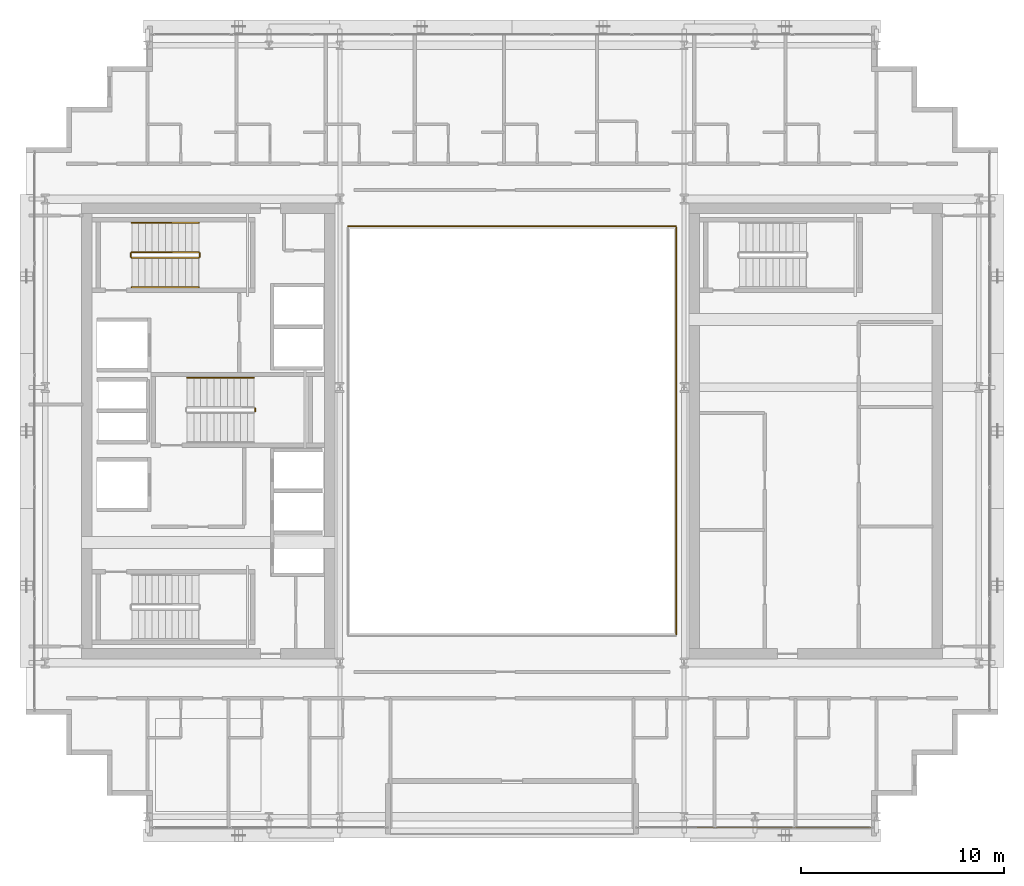
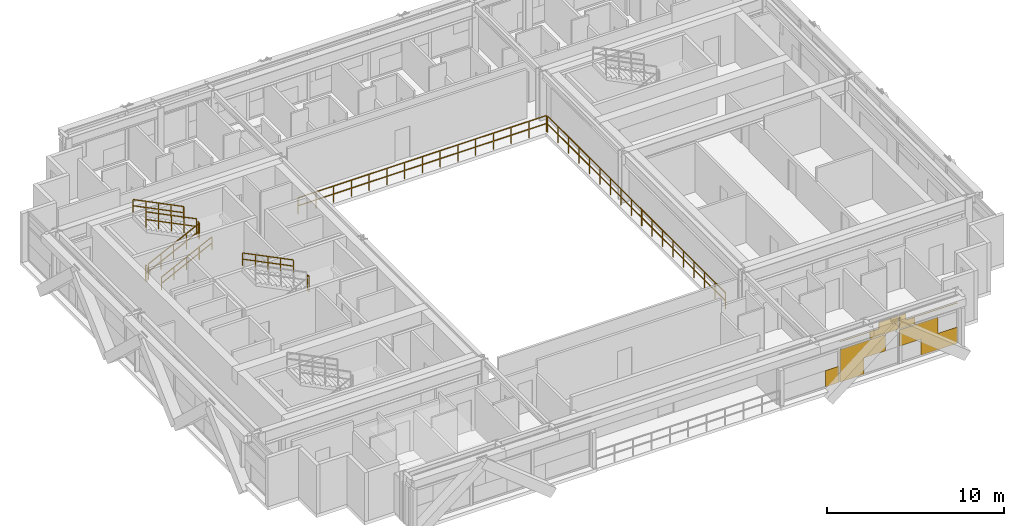
# One storey, part 30 of 32: 10 railings, 1 covering.
"""IFC4 building model written with IfcOpenShell, lengths in metres."""

from ifc_helpers import new_model, si_unit, direction, frame, origin, origin_2d, place, context, subcontext, project, spatial, rectangle, extrude, material, layer, layer_set, type_object, element, save


model = new_model("IFC4")

# Units and contexts
model_context = context("Model", 3, precision=1e-05, world=origin(), true_north=direction((0.0, 1.0)))
body_context = subcontext(model_context, "Body", "Model", "MODEL_VIEW")
ifc_project = project(units=[si_unit("LENGTHUNIT", "METRE"), si_unit("AREAUNIT", "SQUARE_METRE"), si_unit("VOLUMEUNIT", "CUBIC_METRE"), si_unit("PLANEANGLEUNIT", "RADIAN"), si_unit("MASSUNIT", "GRAM", prefix="KILO")], contexts=[model_context])

# Site, building, storey
site_placement = place(None, origin())
site = spatial("IfcSite", under=ifc_project, at=site_placement, CompositionType="ELEMENT")
building_placement = place(site_placement, origin())
building = spatial("IfcBuilding", under=site, at=building_placement, Name="Ocotamira Hotel", CompositionType="ELEMENT")
storey_placement = place(building_placement, frame((0.0, 0.0, 166.800048828125)))
storey = spatial("IfcBuildingStorey", under=building, at=storey_placement, Name="L41", CompositionType="ELEMENT", Elevation=166.800048828125)

# Covering
ifc_material_1 = material(Name="Insulated pale-metal aluminium spandrel panel", Category="aluminium")
ifc_layer = layer(ifc_material_1, 0.044921875)
ifc_layer_set = layer_set([ifc_layer], Name="Insulated pale-metal aluminium spandrel panel")
covering_type = type_object("IfcCoveringType", Name="COV-INFILL-45", PredefinedType="CLADDING", material=ifc_layer_set)
covering_placement = place(storey_placement, origin())
element("IfcCovering", 1, at=covering_placement, inside=storey, type_object=covering_type, Name="L41 Curtain Wall Infill CW-4 CW-L41-S2", PredefinedType="CLADDING", context=body_context, shape_type="SweptSolid", body=[
    extrude(rectangle(XDim=0.85888671875, YDim=0.044921875, at=origin_2d()), frame((41.5634765625, 6.419921875, 0.0751953125), z_axis=(0.0, 0.0, 1.0), x_axis=(1.0, 0.0, 0.0)), (0.0, 0.0, 1.0), 1.117919921875),
    extrude(rectangle(XDim=1.578125, YDim=0.044921875, at=origin_2d()), frame((42.86279296875, 6.419921875, 0.0751953125), z_axis=(0.0, 0.0, 1.0), x_axis=(1.0, 0.0, 0.0)), (0.0, 0.0, 1.0), 1.117919921875),
    extrude(rectangle(XDim=2.9765625, YDim=0.044921875, at=origin_2d()), frame((43.56201171875, 6.419921875, 1.19384765625), z_axis=(0.0, 0.0, 1.0), x_axis=(1.0, 0.0, 0.0)), (0.0, 0.0, 1.0), 1.117919921875),
    extrude(rectangle(XDim=3.80224609375, YDim=0.044921875, at=origin_2d()), frame((43.97509765625, 6.419921875, 2.83154296875), z_axis=(0.0, 0.0, 1.0), x_axis=(1.0, 0.0, 0.0)), (0.0, 0.0, 1.0), 0.0302734375),
    extrude(rectangle(XDim=1.8515625, YDim=0.044921875, at=origin_2d()), frame((44.950439453125, 6.419921875, 2.3876953125), z_axis=(0.0, 0.0, 1.0), x_axis=(1.0, 0.0, 0.0)), (0.0, 0.0, 1.0), 0.442626953125),
    extrude(rectangle(XDim=1.258056640625, YDim=0.044921875, at=origin_2d()), frame((45.2470703125, 6.419921875, 2.86279296875), z_axis=(0.0, 0.0, 1.0), x_axis=(1.0, 0.0, 0.0)), (0.0, 0.0, 1.0), 0.431640625),
    extrude(rectangle(XDim=2.510498046875, YDim=0.044921875, at=origin_2d()), frame((47.21240234375, 6.419921875, 1.19384765625), z_axis=(0.0, 0.0, 1.0), x_axis=(1.0, 0.0, 0.0)), (0.0, 0.0, 1.0), 1.117919921875),
    extrude(rectangle(XDim=2.37158203125, YDim=0.044921875, at=origin_2d()), frame((48.53369140625, 6.419921875, 0.0751953125), z_axis=(0.0, 0.0, 1.0), x_axis=(1.0, 0.0, 0.0)), (0.0, 0.0, 1.0), 1.117919921875),
    extrude(rectangle(XDim=1.018310546875, YDim=0.044921875, at=origin_2d()), frame((46.46630859375, 6.419921875, 2.3876953125), z_axis=(0.0, 0.0, 1.0), x_axis=(1.0, 0.0, 0.0)), (0.0, 0.0, 1.0), 0.442626953125),
    extrude(rectangle(XDim=3.76220703125, YDim=0.044921875, at=origin_2d()), frame((47.83837890625, 6.419921875, 2.83154296875), z_axis=(0.0, 0.0, 1.0), x_axis=(1.0, 0.0, 0.0)), (0.0, 0.0, 1.0), 0.0302734375),
    extrude(rectangle(XDim=0.4248046875, YDim=0.044921875, at=origin_2d()), frame((46.16943359375, 6.419921875, 2.86279296875), z_axis=(0.0, 0.0, 1.0), x_axis=(1.0, 0.0, 0.0)), (0.0, 0.0, 1.0), 0.431640625),
])

# Railings
ifc_material_2 = material(Name="Painted steel stair guardrail", Category="steel")
railing_type_1 = type_object("IfcRailingType", Name="RL-EDGE-1150", PredefinedType="GUARDRAIL", material=ifc_material_2)
railing_1_placement = place(storey_placement, frame((40.1201171875, 15.9599609375, 0.0)))
element("IfcRailing", 2, at=railing_1_placement, inside=storey, type_object=railing_type_1, Name="L41 Central Atrium Edge Guardrail E", PredefinedType="GUARDRAIL", context=body_context, shape_type="SweptSolid", body=[
    extrude(rectangle(XDim=0.048095703125, YDim=0.048095703125, at=origin_2d()), frame((0.0, 0.0, 1.1259765625), z_axis=(0.0, 1.0, 0.0), x_axis=(-1.0, 0.0, 0.0)), (0.0, 0.0, 1.0), 20.080078125),
    extrude(rectangle(XDim=0.048095703125, YDim=0.048095703125, at=origin_2d()), frame((0.0, 0.0, 0.574951171875), z_axis=(0.0, 1.0, 0.0), x_axis=(-1.0, 0.0, 0.0)), (0.0, 0.0, 1.0), 20.080078125),
    extrude(rectangle(XDim=0.0419921875, YDim=0.0419921875, at=origin_2d()), origin(), (0.0, 0.0, 1.0), 1.101806640625),
    extrude(rectangle(XDim=0.0419921875, YDim=0.0419921875, at=origin_2d()), frame((0.0, 1.18115234375, 0.0)), (0.0, 0.0, 1.0), 1.101806640625),
    extrude(rectangle(XDim=0.0419921875, YDim=0.0419921875, at=origin_2d()), frame((0.0, 2.3623046875, 0.0)), (0.0, 0.0, 1.0), 1.101806640625),
    extrude(rectangle(XDim=0.0419921875, YDim=0.0419921875, at=origin_2d()), frame((0.0, 3.54345703125, 0.0)), (0.0, 0.0, 1.0), 1.101806640625),
    extrude(rectangle(XDim=0.0419921875, YDim=0.0419921875, at=origin_2d()), frame((0.0, 4.724609375, 0.0)), (0.0, 0.0, 1.0), 1.101806640625),
    extrude(rectangle(XDim=0.0419921875, YDim=0.0419921875, at=origin_2d()), frame((0.0, 5.906005859375, 0.0)), (0.0, 0.0, 1.0), 1.101806640625),
    extrude(rectangle(XDim=0.0419921875, YDim=0.0419921875, at=origin_2d()), frame((0.0, 7.087158203125, 0.0)), (0.0, 0.0, 1.0), 1.101806640625),
    extrude(rectangle(XDim=0.0419921875, YDim=0.0419921875, at=origin_2d()), frame((0.0, 8.268310546875, 0.0)), (0.0, 0.0, 1.0), 1.101806640625),
    extrude(rectangle(XDim=0.0419921875, YDim=0.0419921875, at=origin_2d()), frame((0.0, 9.449462890625, 0.0)), (0.0, 0.0, 1.0), 1.101806640625),
    extrude(rectangle(XDim=0.0419921875, YDim=0.0419921875, at=origin_2d()), frame((0.0, 10.630615234375, 0.0)), (0.0, 0.0, 1.0), 1.101806640625),
    extrude(rectangle(XDim=0.0419921875, YDim=0.0419921875, at=origin_2d()), frame((0.0, 11.811767578125, 0.0)), (0.0, 0.0, 1.0), 1.101806640625),
    extrude(rectangle(XDim=0.0419921875, YDim=0.0419921875, at=origin_2d()), frame((0.0, 12.992919921875, 0.0)), (0.0, 0.0, 1.0), 1.101806640625),
    extrude(rectangle(XDim=0.0419921875, YDim=0.0419921875, at=origin_2d()), frame((0.0, 14.174072265625, 0.0)), (0.0, 0.0, 1.0), 1.101806640625),
    extrude(rectangle(XDim=0.0419921875, YDim=0.0419921875, at=origin_2d()), frame((0.0, 15.35546875, 0.0)), (0.0, 0.0, 1.0), 1.101806640625),
    extrude(rectangle(XDim=0.0419921875, YDim=0.0419921875, at=origin_2d()), frame((0.0, 16.53662109375, 0.0)), (0.0, 0.0, 1.0), 1.101806640625),
    extrude(rectangle(XDim=0.0419921875, YDim=0.0419921875, at=origin_2d()), frame((0.0, 17.7177734375, 0.0)), (0.0, 0.0, 1.0), 1.101806640625),
    extrude(rectangle(XDim=0.0419921875, YDim=0.0419921875, at=origin_2d()), frame((0.0, 18.89892578125, 0.0)), (0.0, 0.0, 1.0), 1.101806640625),
    extrude(rectangle(XDim=0.0419921875, YDim=0.0419921875, at=origin_2d()), frame((0.0, 20.080078125, 0.0)), (0.0, 0.0, 1.0), 1.101806640625),
])
railing_2_placement = place(storey_placement, frame((40.10009765625, 36.1201171875, 0.0)))
element("IfcRailing", 3, at=railing_2_placement, inside=storey, type_object=railing_type_1, Name="L41 Central Atrium Edge Guardrail N", PredefinedType="GUARDRAIL", context=body_context, shape_type="SweptSolid", body=[
    extrude(rectangle(XDim=0.048095703125, YDim=0.048095703125, at=origin_2d()), frame((0.0, 0.0, 1.1259765625), z_axis=(-1.0, 0.0, 0.0), x_axis=(0.0, -1.0, 0.0)), (0.0, 0.0, 1.0), 16.2001953125),
    extrude(rectangle(XDim=0.048095703125, YDim=0.048095703125, at=origin_2d()), frame((0.0, 0.0, 0.574951171875), z_axis=(-1.0, 0.0, 0.0), x_axis=(0.0, -1.0, 0.0)), (0.0, 0.0, 1.0), 16.2001953125),
    extrude(rectangle(XDim=0.0419921875, YDim=0.0419921875, at=origin_2d()), origin(), (0.0, 0.0, 1.0), 1.101806640625),
    extrude(rectangle(XDim=0.0419921875, YDim=0.0419921875, at=origin_2d()), frame((-1.1572265625, 0.0, 0.0)), (0.0, 0.0, 1.0), 1.101806640625),
    extrude(rectangle(XDim=0.0419921875, YDim=0.0419921875, at=origin_2d()), frame((-2.314208984375, 0.0, 0.0)), (0.0, 0.0, 1.0), 1.101806640625),
    extrude(rectangle(XDim=0.0419921875, YDim=0.0419921875, at=origin_2d()), frame((-3.471435546875, 0.0, 0.0)), (0.0, 0.0, 1.0), 1.101806640625),
    extrude(rectangle(XDim=0.0419921875, YDim=0.0419921875, at=origin_2d()), frame((-4.628662109375, 0.0, 0.0)), (0.0, 0.0, 1.0), 1.101806640625),
    extrude(rectangle(XDim=0.0419921875, YDim=0.0419921875, at=origin_2d()), frame((-5.785888671875, 0.0, 0.0)), (0.0, 0.0, 1.0), 1.101806640625),
    extrude(rectangle(XDim=0.0419921875, YDim=0.0419921875, at=origin_2d()), frame((-6.94287109375, 0.0, 0.0)), (0.0, 0.0, 1.0), 1.101806640625),
    extrude(rectangle(XDim=0.0419921875, YDim=0.0419921875, at=origin_2d()), frame((-8.10009765625, 0.0, 0.0)), (0.0, 0.0, 1.0), 1.101806640625),
    extrude(rectangle(XDim=0.0419921875, YDim=0.0419921875, at=origin_2d()), frame((-9.25732421875, 0.0, 0.0)), (0.0, 0.0, 1.0), 1.101806640625),
    extrude(rectangle(XDim=0.0419921875, YDim=0.0419921875, at=origin_2d()), frame((-10.414306640625, 0.0, 0.0)), (0.0, 0.0, 1.0), 1.101806640625),
    extrude(rectangle(XDim=0.0419921875, YDim=0.0419921875, at=origin_2d()), frame((-11.571533203125, 0.0, 0.0)), (0.0, 0.0, 1.0), 1.101806640625),
    extrude(rectangle(XDim=0.0419921875, YDim=0.0419921875, at=origin_2d()), frame((-12.728759765625, 0.0, 0.0)), (0.0, 0.0, 1.0), 1.101806640625),
    extrude(rectangle(XDim=0.0419921875, YDim=0.0419921875, at=origin_2d()), frame((-13.885986328125, 0.0, 0.0)), (0.0, 0.0, 1.0), 1.101806640625),
    extrude(rectangle(XDim=0.0419921875, YDim=0.0419921875, at=origin_2d()), frame((-15.04296875, 0.0, 0.0)), (0.0, 0.0, 1.0), 1.101806640625),
    extrude(rectangle(XDim=0.0419921875, YDim=0.0419921875, at=origin_2d()), frame((-16.2001953125, 0.0, 0.0)), (0.0, 0.0, 1.0), 1.101806640625),
])
ifc_material_3 = material(Name="Brushed stainless steel handrail", Category="steel")
railing_type_2 = type_object("IfcRailingType", Name="RL-HAND-900", PredefinedType="HANDRAIL", material=ifc_material_3)
railing_3_placement = place(storey_placement, frame((13.22998046875, 33.10009765625, 0.3271484375)))
element("IfcRailing", 4, at=railing_3_placement, inside=storey, type_object=railing_type_2, Name="L41 ST-2 stair handrail 1", PredefinedType="HANDRAIL", context=body_context, shape_type="SweptSolid", body=[
    extrude(rectangle(XDim=0.048095703125, YDim=0.048095703125, at=origin_2d()), frame((0.0, 0.0, 0.8759765625), z_axis=(0.895893744519, 0.0, 0.4442683857), x_axis=(0.0, 1.0, 0.0)), (0.0, 0.0, 1.0), 3.68359375),
    extrude(rectangle(XDim=0.048095703125, YDim=0.048095703125, at=origin_2d()), frame((0.0, 0.0, 0.449951171875), z_axis=(0.895893744519, 0.0, 0.4442683857), x_axis=(0.0, 1.0, 0.0)), (0.0, 0.0, 1.0), 3.68359375),
    extrude(rectangle(XDim=0.0419921875, YDim=0.0419921875, at=origin_2d()), origin(), (0.0, 0.0, 1.0), 0.851806640625),
    extrude(rectangle(XDim=0.0419921875, YDim=0.0419921875, at=origin_2d()), frame((0.824951171875, 0.0, 0.4091796875)), (0.0, 0.0, 1.0), 0.851806640625),
    extrude(rectangle(XDim=0.0419921875, YDim=0.0419921875, at=origin_2d()), frame((1.64990234375, 0.0, 0.818359375)), (0.0, 0.0, 1.0), 0.851806640625),
    extrude(rectangle(XDim=0.0419921875, YDim=0.0419921875, at=origin_2d()), frame((2.47509765625, 0.0, 1.227294921875)), (0.0, 0.0, 1.0), 0.851806640625),
    extrude(rectangle(XDim=0.0419921875, YDim=0.0419921875, at=origin_2d()), frame((3.300048828125, 0.0, 1.636474609375)), (0.0, 0.0, 1.0), 0.851806640625),
])
for number, where, name in (
    (5, (16.530029296875, 36.280029296875, 2.127197265625), "L41 ST-2 stair handrail 2"),
    (6, (19.260009765625, 28.6298828125, 2.127197265625), "L41 ST-3 stair handrail 2"),
):
    element("IfcRailing", number, at=place(storey_placement, frame(where)), inside=storey, type_object=railing_type_2, Name=name, PredefinedType="HANDRAIL", context=body_context, shape_type="SweptSolid", body=[
        extrude(rectangle(XDim=0.048095703125, YDim=0.048095703125, at=origin_2d()), frame((0.0, 0.0, 0.8759765625), z_axis=(-0.895893744519, 0.0, 0.4442683857), x_axis=(0.0, -1.0, 0.0)), (0.0, 0.0, 1.0), 3.68359375),
        extrude(rectangle(XDim=0.048095703125, YDim=0.048095703125, at=origin_2d()), frame((0.0, 0.0, 0.449951171875), z_axis=(-0.895893744519, 0.0, 0.4442683857), x_axis=(0.0, -1.0, 0.0)), (0.0, 0.0, 1.0), 3.68359375),
        extrude(rectangle(XDim=0.0419921875, YDim=0.0419921875, at=origin_2d()), origin(), (0.0, 0.0, 1.0), 0.851806640625),
        extrude(rectangle(XDim=0.0419921875, YDim=0.0419921875, at=origin_2d()), frame((-0.824951171875, 0.0, 0.4091796875)), (0.0, 0.0, 1.0), 0.851806640625),
        extrude(rectangle(XDim=0.0419921875, YDim=0.0419921875, at=origin_2d()), frame((-1.64990234375, 0.0, 0.818359375)), (0.0, 0.0, 1.0), 0.851806640625),
        extrude(rectangle(XDim=0.0419921875, YDim=0.0419921875, at=origin_2d()), frame((-2.47509765625, 0.0, 1.227294921875)), (0.0, 0.0, 1.0), 0.851806640625),
        extrude(rectangle(XDim=0.0419921875, YDim=0.0419921875, at=origin_2d()), frame((-3.300048828125, 0.0, 1.636474609375)), (0.0, 0.0, 1.0), 0.851806640625),
    ])
railing_type_3 = type_object("IfcRailingType", Name="RL-STAIR-1100", PredefinedType="GUARDRAIL", material=ifc_material_2)
railing_4_placement = place(storey_placement, frame((13.22998046875, 34.56005859375, 0.16357421875)))
element("IfcRailing", 7, at=railing_4_placement, inside=storey, type_object=railing_type_3, Name="L41 ST-2 stair guard 1", PredefinedType="GUARDRAIL", context=body_context, shape_type="SweptSolid", body=[
    extrude(rectangle(XDim=0.048095703125, YDim=0.048095703125, at=origin_2d()), frame((0.0, 0.0, 1.076171875), z_axis=(0.895893744519, 0.0, 0.4442683857), x_axis=(0.0, 1.0, 0.0)), (0.0, 0.0, 1.0), 3.68359375),
    extrude(rectangle(XDim=0.048095703125, YDim=0.048095703125, at=origin_2d()), frame((0.0, 0.0, 0.550048828125), z_axis=(0.895893744519, 0.0, 0.4442683857), x_axis=(0.0, 1.0, 0.0)), (0.0, 0.0, 1.0), 3.68359375),
    extrude(rectangle(XDim=0.0419921875, YDim=0.0419921875, at=origin_2d()), origin(), (0.0, 0.0, 1.0), 1.052001953125),
    extrude(rectangle(XDim=0.0419921875, YDim=0.0419921875, at=origin_2d()), frame((0.824951171875, 0.0, 0.4091796875)), (0.0, 0.0, 1.0), 1.052001953125),
    extrude(rectangle(XDim=0.0419921875, YDim=0.0419921875, at=origin_2d()), frame((1.64990234375, 0.0, 0.818359375)), (0.0, 0.0, 1.0), 1.052001953125),
    extrude(rectangle(XDim=0.0419921875, YDim=0.0419921875, at=origin_2d()), frame((2.47509765625, 0.0, 1.227294921875)), (0.0, 0.0, 1.0), 1.052001953125),
    extrude(rectangle(XDim=0.0419921875, YDim=0.0419921875, at=origin_2d()), frame((3.300048828125, 0.0, 1.636474609375)), (0.0, 0.0, 1.0), 1.052001953125),
])
railing_5_placement = place(storey_placement, frame((16.580078125, 34.610107421875, 1.800048828125)))
element("IfcRailing", 8, at=railing_5_placement, inside=storey, type_object=railing_type_3, Name="L41 ST-2 stair guard 2", PredefinedType="GUARDRAIL", context=body_context, shape_type="SweptSolid", body=[
    extrude(rectangle(XDim=0.048095703125, YDim=0.048095703125, at=origin_2d()), frame((0.0, 0.0, 1.076171875), z_axis=(0.0, 1.0, 0.0), x_axis=(-1.0, 0.0, 0.0)), (0.0, 0.0, 1.0), 0.159912109375),
    extrude(rectangle(XDim=0.048095703125, YDim=0.048095703125, at=origin_2d()), frame((0.0, 0.0, 0.550048828125), z_axis=(0.0, 1.0, 0.0), x_axis=(-1.0, 0.0, 0.0)), (0.0, 0.0, 1.0), 0.159912109375),
    extrude(rectangle(XDim=0.0419921875, YDim=0.0419921875, at=origin_2d()), origin(), (0.0, 0.0, 1.0), 1.052001953125),
    extrude(rectangle(XDim=0.0419921875, YDim=0.0419921875, at=origin_2d()), frame((0.0, 0.159912109375, 0.0)), (0.0, 0.0, 1.0), 1.052001953125),
])
railing_6_placement = place(storey_placement, frame((16.530029296875, 34.820068359375, 1.963623046875)))
element("IfcRailing", 9, at=railing_6_placement, inside=storey, type_object=railing_type_3, Name="L41 ST-2 stair guard 3", PredefinedType="GUARDRAIL", context=body_context, shape_type="SweptSolid", body=[
    extrude(rectangle(XDim=0.048095703125, YDim=0.048095703125, at=origin_2d()), frame((0.0, 0.0, 1.076171875), z_axis=(-0.895920123917, 0.0, 0.444215186098), x_axis=(0.0, -1.0, 0.0)), (0.0, 0.0, 1.0), 3.683349609375),
    extrude(rectangle(XDim=0.048095703125, YDim=0.048095703125, at=origin_2d()), frame((0.0, 0.0, 0.550048828125), z_axis=(-0.895920123917, 0.0, 0.444215186098), x_axis=(0.0, -1.0, 0.0)), (0.0, 0.0, 1.0), 3.683349609375),
    extrude(rectangle(XDim=0.0419921875, YDim=0.0419921875, at=origin_2d()), origin(), (0.0, 0.0, 1.0), 1.052001953125),
    extrude(rectangle(XDim=0.0419921875, YDim=0.0419921875, at=origin_2d()), frame((-0.824951171875, 0.0, 0.4091796875)), (0.0, 0.0, 1.0), 1.052001953125),
    extrude(rectangle(XDim=0.0419921875, YDim=0.0419921875, at=origin_2d()), frame((-1.64990234375, 0.0, 0.818115234375)), (0.0, 0.0, 1.0), 1.052001953125),
    extrude(rectangle(XDim=0.0419921875, YDim=0.0419921875, at=origin_2d()), frame((-2.47509765625, 0.0, 1.22705078125)), (0.0, 0.0, 1.0), 1.052001953125),
    extrude(rectangle(XDim=0.0419921875, YDim=0.0419921875, at=origin_2d()), frame((-3.300048828125, 0.0, 1.63623046875)), (0.0, 0.0, 1.0), 1.052001953125),
])
railing_7_placement = place(storey_placement, frame((13.179931640625, 34.610107421875, 0.0)))
element("IfcRailing", 10, at=railing_7_placement, inside=storey, type_object=railing_type_3, Name="L41 ST-2 stair guard 4", PredefinedType="GUARDRAIL", context=body_context, shape_type="SweptSolid", body=[
    extrude(rectangle(XDim=0.048095703125, YDim=0.048095703125, at=origin_2d()), frame((0.0, 0.0, 1.076171875), z_axis=(0.0, 1.0, 0.0), x_axis=(-1.0, 0.0, 0.0)), (0.0, 0.0, 1.0), 0.159912109375),
    extrude(rectangle(XDim=0.048095703125, YDim=0.048095703125, at=origin_2d()), frame((0.0, 0.0, 0.550048828125), z_axis=(0.0, 1.0, 0.0), x_axis=(-1.0, 0.0, 0.0)), (0.0, 0.0, 1.0), 0.159912109375),
    extrude(rectangle(XDim=0.0419921875, YDim=0.0419921875, at=origin_2d()), origin(), (0.0, 0.0, 1.0), 1.052001953125),
    extrude(rectangle(XDim=0.0419921875, YDim=0.0419921875, at=origin_2d()), frame((0.0, 0.159912109375, 0.0)), (0.0, 0.0, 1.0), 1.052001953125),
])
railing_8_placement = place(storey_placement, frame((19.31005859375, 26.9599609375, 1.800048828125)))
element("IfcRailing", 11, at=railing_8_placement, inside=storey, type_object=railing_type_3, Name="L41 ST-3 stair guard 2", PredefinedType="GUARDRAIL", context=body_context, shape_type="SweptSolid", body=[
    extrude(rectangle(XDim=0.048095703125, YDim=0.048095703125, at=origin_2d()), frame((0.0, 0.0, 1.076171875), z_axis=(0.0, 1.0, 0.0), x_axis=(-1.0, 0.0, 0.0)), (0.0, 0.0, 1.0), 0.16015625),
    extrude(rectangle(XDim=0.048095703125, YDim=0.048095703125, at=origin_2d()), frame((0.0, 0.0, 0.550048828125), z_axis=(0.0, 1.0, 0.0), x_axis=(-1.0, 0.0, 0.0)), (0.0, 0.0, 1.0), 0.16015625),
    extrude(rectangle(XDim=0.0419921875, YDim=0.0419921875, at=origin_2d()), origin(), (0.0, 0.0, 1.0), 1.052001953125),
    extrude(rectangle(XDim=0.0419921875, YDim=0.0419921875, at=origin_2d()), frame((0.0, 0.16015625, 0.0)), (0.0, 0.0, 1.0), 1.052001953125),
])

save(model, "model.ifc")
